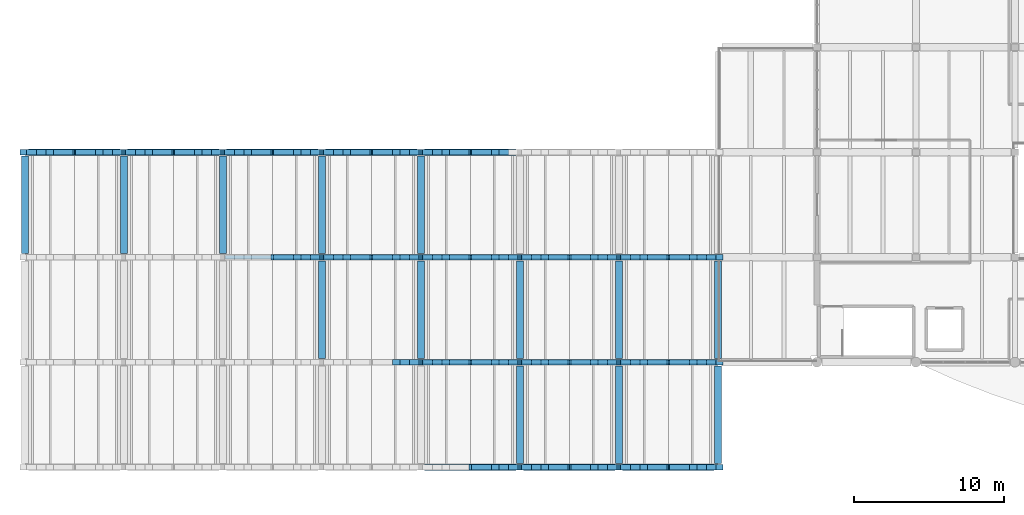
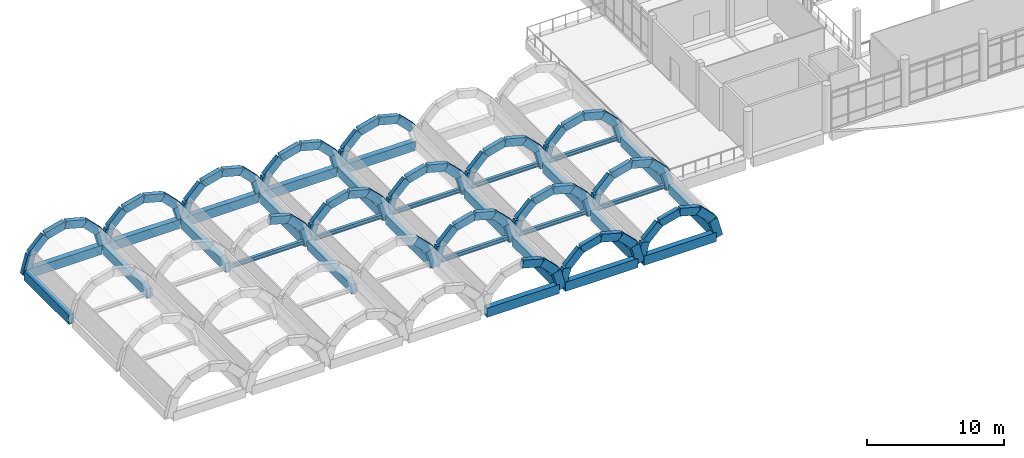
# One storey, part 2 of 92: 112 beams, 8 members.
"""IFC4 building model written with IfcOpenShell, lengths in metres."""

from ifc_helpers import new_model, si_unit, direction, frame, origin, origin_2d, place, context, subcontext, project, spatial, rectangle, i_section, extrude, material, material_profile, profile_set, type_object, element, save


model = new_model("IFC4")

# Units and contexts
model_context = context("Model", 3, precision=1e-05, world=origin(), true_north=direction((0.0, 1.0)))
body_context = subcontext(model_context, "Body", "Model", "MODEL_VIEW")
ifc_project = project(units=[si_unit("LENGTHUNIT", "METRE"), si_unit("AREAUNIT", "SQUARE_METRE"), si_unit("VOLUMEUNIT", "CUBIC_METRE"), si_unit("PLANEANGLEUNIT", "RADIAN"), si_unit("MASSUNIT", "GRAM", prefix="KILO")], contexts=[model_context])

# Site, building, storey
site_placement = place(None, origin())
site = spatial("IfcSite", under=ifc_project, at=site_placement, CompositionType="ELEMENT")
building_placement = place(site_placement, origin())
building = spatial("IfcBuilding", under=site, at=building_placement, Name="Ciguamira Faculty of Natural Sciences", CompositionType="ELEMENT")
storey_placement = place(building_placement, frame((0.0, 0.0, 16.800048828125)))
storey = spatial("IfcBuildingStorey", under=building, at=storey_placement, Name="L04", CompositionType="ELEMENT", Elevation=16.800048828125)

# Beams
ifc_material_1 = material(Name="Concrete C40/50", Category="concrete")
ifc_material_profile_1 = material_profile(ifc_material_1, rectangle(XDim=0.4599609375, YDim=0.820068359375, at=origin_2d()), Name="RC-BM-460X820")
ifc_profile_set_1 = profile_set([ifc_material_profile_1], Name="Concrete C40/50")
beam_type_1 = type_object("IfcBeamType", Name="RCBeam_BG-04_RC-BM-460X820", PredefinedType="BEAM", material=ifc_profile_set_1)
for number, where, z_axis, x_axis, name in (
    (1, (4.5, 17.25, -0.41015625), (0.0, 1.0, 0.0), (-1.0, 0.0, 0.0), "V2 barrel vault RC valley tie beam 01-17"),
    (2, (11.10009765625, 17.25, -0.41015625), (0.0, 1.0, 0.0), (-1.0, 0.0, 0.0), "V2 barrel vault RC valley tie beam 02-17"),
    (3, (17.699951171875, 17.25, -0.41015625), (0.0, 1.0, 0.0), (-1.0, 0.0, 0.0), "V2 barrel vault RC valley tie beam 03-17"),
    (4, (24.300048828125, 10.25, -0.41015625), (0.0, 1.0, 0.0), (-1.0, 0.0, 0.0), "V2 barrel vault RC valley tie beam 04-10"),
    (5, (24.300048828125, 17.25, -0.41015625), (0.0, 1.0, 0.0), (-1.0, 0.0, 0.0), "V2 barrel vault RC valley tie beam 04-17"),
    (6, (30.89990234375, 10.25, -0.41015625), (0.0, 1.0, 0.0), (-1.0, 0.0, 0.0), "V2 barrel vault RC valley tie beam 05-10"),
    (7, (30.89990234375, 17.25, -0.41015625), (0.0, 1.0, 0.0), (-1.0, 0.0, 0.0), "V2 barrel vault RC valley tie beam 05-17"),
    (8, (37.5, 3.25, -0.41015625), (0.0, 1.0, 0.0), (-1.0, 0.0, 0.0), "V2 barrel vault RC valley tie beam 06-3"),
    (9, (37.5, 10.25, -0.41015625), (0.0, 1.0, 0.0), (-1.0, 0.0, 0.0), "V2 barrel vault RC valley tie beam 06-10"),
    (10, (44.10009765625, 3.25, -0.41015625), (0.0, 1.0, 0.0), (-1.0, 0.0, 0.0), "V2 barrel vault RC valley tie beam 07-3"),
    (11, (44.10009765625, 10.25, -0.41015625), (0.0, 1.0, 0.0), (-1.0, 0.0, 0.0), "V2 barrel vault RC valley tie beam 07-10"),
    (12, (50.699951171875, 3.25, -0.41015625), (0.0, 1.0, 0.0), (-1.0, 0.0, 0.0), "V2 barrel vault RC valley tie beam 08-3"),
    (13, (50.699951171875, 10.25, -0.41015625), (0.0, 1.0, 0.0), (-1.0, 0.0, 0.0), "V2 barrel vault RC valley tie beam 08-10"),
):
    element("IfcBeam", number, at=place(storey_placement, frame(where, z_axis=z_axis, x_axis=x_axis)), inside=storey, type_object=beam_type_1, Name=name, PredefinedType="BEAM", context=body_context, shape_type="SweptSolid", body=[
        extrude(rectangle(XDim=0.4599609375, YDim=0.820068359375, at=origin_2d()), origin(), (0.0, 0.0, 1.0), 6.5),
    ])
for number, where, z_axis, x_axis, name in (
    (14, (31.14990234375, 3.0, -0.41015625), (1.0, 0.0, 0.0), (0.0, 1.0, 0.0), "V2 barrel vault end ring beam S-05"),
    (15, (37.75, 3.0, -0.41015625), (1.0, 0.0, 0.0), (0.0, 1.0, 0.0), "V2 barrel vault end ring beam S-06"),
):
    element("IfcBeam", number, at=place(storey_placement, frame(where, z_axis=z_axis, x_axis=x_axis)), inside=storey, type_object=beam_type_1, Name=name, PredefinedType="BEAM", context=body_context, shape_type="SweptSolid", body=[
        extrude(rectangle(XDim=0.4599609375, YDim=0.820068359375, at=origin_2d()), origin(), (0.0, 0.0, 1.0), 6.10009765625),
    ])
beam_1_placement = place(storey_placement, frame((44.35009765625, 3.0, -0.41015625), z_axis=(1.0, 0.0, 0.0), x_axis=(0.0, 1.0, 0.0)))
element("IfcBeam", 16, at=beam_1_placement, inside=storey, type_object=beam_type_1, Name="V2 barrel vault end ring beam S-07", PredefinedType="BEAM", context=body_context, shape_type="SweptSolid", body=[
    extrude(rectangle(XDim=0.4599609375, YDim=0.820068359375, at=origin_2d()), origin(), (0.0, 0.0, 1.0), 6.099853515625),
])
beam_2_placement = place(storey_placement, frame((4.75, 24.0, -0.41015625), z_axis=(1.0, 0.0, 0.0), x_axis=(0.0, 1.0, 0.0)))
element("IfcBeam", 17, at=beam_2_placement, inside=storey, type_object=beam_type_1, Name="V2 barrel vault end ring beam N-01", PredefinedType="BEAM", context=body_context, shape_type="SweptSolid", body=[
    extrude(rectangle(XDim=0.4599609375, YDim=0.820068359375, at=origin_2d()), origin(), (0.0, 0.0, 1.0), 6.10009765625),
])
beam_3_placement = place(storey_placement, frame((11.35009765625, 24.0, -0.41015625), z_axis=(1.0, 0.0, 0.0), x_axis=(0.0, 1.0, 0.0)))
element("IfcBeam", 18, at=beam_3_placement, inside=storey, type_object=beam_type_1, Name="V2 barrel vault end ring beam N-02", PredefinedType="BEAM", context=body_context, shape_type="SweptSolid", body=[
    extrude(rectangle(XDim=0.4599609375, YDim=0.820068359375, at=origin_2d()), origin(), (0.0, 0.0, 1.0), 6.099853515625),
])
beam_4_placement = place(storey_placement, frame((17.949951171875, 24.0, -0.41015625), z_axis=(1.0, 0.0, 0.0), x_axis=(0.0, 1.0, 0.0)))
element("IfcBeam", 19, at=beam_4_placement, inside=storey, type_object=beam_type_1, Name="V2 barrel vault end ring beam N-03", PredefinedType="BEAM", context=body_context, shape_type="SweptSolid", body=[
    extrude(rectangle(XDim=0.4599609375, YDim=0.820068359375, at=origin_2d()), origin(), (0.0, 0.0, 1.0), 6.10009765625),
])
beam_5_placement = place(storey_placement, frame((24.550048828125, 24.0, -0.41015625), z_axis=(1.0, 0.0, 0.0), x_axis=(0.0, 1.0, 0.0)))
element("IfcBeam", 20, at=beam_5_placement, inside=storey, type_object=beam_type_1, Name="V2 barrel vault end ring beam N-04", PredefinedType="BEAM", context=body_context, shape_type="SweptSolid", body=[
    extrude(rectangle(XDim=0.4599609375, YDim=0.820068359375, at=origin_2d()), origin(), (0.0, 0.0, 1.0), 6.099853515625),
])
beam_6_placement = place(storey_placement, frame((31.14990234375, 24.0, -0.41015625), z_axis=(1.0, 0.0, 0.0), x_axis=(0.0, 1.0, 0.0)))
element("IfcBeam", 21, at=beam_6_placement, inside=storey, type_object=beam_type_1, Name="V2 barrel vault end ring beam N-05", PredefinedType="BEAM", context=body_context, shape_type="SweptSolid", body=[
    extrude(rectangle(XDim=0.4599609375, YDim=0.820068359375, at=origin_2d()), origin(), (0.0, 0.0, 1.0), 6.10009765625),
])
ifc_material_profile_2 = material_profile(ifc_material_1, rectangle(XDim=0.3798828125, YDim=0.679931640625, at=origin_2d()), Name="RC-BM-380X680")
ifc_profile_set_2 = profile_set([ifc_material_profile_2], Name="Concrete C40/50")
beam_type_2 = type_object("IfcBeamType", Name="RCBeam_BG-09_RC-BM-380X680", PredefinedType="BEAM", material=ifc_profile_set_2)
beam_7_placement = place(storey_placement, frame((4.5, 24.0, -0.469970703125), z_axis=(0.25884563037, 0.0, 0.965918702396), x_axis=(0.0, 1.0, 0.0)))
element("IfcBeam", 22, at=beam_7_placement, inside=storey, type_object=beam_type_2, Name="V2 barrel vault RC arch rib 1-1-24", PredefinedType="BEAM", context=body_context, shape_type="SweptSolid", body=[
    extrude(rectangle(XDim=0.3798828125, YDim=0.679931640625, at=origin_2d()), origin(), (0.0, 0.0, 1.0), 1.7080078125),
])
for number, where, z_axis, x_axis, name in (
    (23, (4.942138671875, 24.0, 1.179931640625), (0.707035316557, 0.0, 0.707178238594), (0.0, 1.0, 0.0), "V2 barrel vault RC arch rib 1-2-24"),
    (24, (6.14990234375, 24.0, 2.387939453125), (0.965963995283, 0.0, 0.25867655444), (0.0, 1.0, 0.0), "V2 barrel vault RC arch rib 1-3-24"),
):
    element("IfcBeam", number, at=place(storey_placement, frame(where, z_axis=z_axis, x_axis=x_axis)), inside=storey, type_object=beam_type_2, Name=name, PredefinedType="BEAM", context=body_context, shape_type="SweptSolid", body=[
        extrude(rectangle(XDim=0.3798828125, YDim=0.679931640625, at=origin_2d()), origin(), (0.0, 0.0, 1.0), 1.708251953125),
    ])
beam_8_placement = place(storey_placement, frame((7.800048828125, 24.0, 2.829833984375), z_axis=(0.965954430336, 0.0, -0.258712269741), x_axis=(0.0, 1.0, 0.0)))
element("IfcBeam", 25, at=beam_8_placement, inside=storey, type_object=beam_type_2, Name="V2 barrel vault RC arch rib 1-4-24", PredefinedType="BEAM", context=body_context, shape_type="SweptSolid", body=[
    extrude(rectangle(XDim=0.3798828125, YDim=0.679931640625, at=origin_2d()), origin(), (0.0, 0.0, 1.0), 1.7080078125),
])
beam_9_placement = place(storey_placement, frame((9.449951171875, 24.0, 2.387939453125), z_axis=(0.707106781187, 0.0, -0.707106781187), x_axis=(0.0, 1.0, 0.0)))
element("IfcBeam", 26, at=beam_9_placement, inside=storey, type_object=beam_type_2, Name="V2 barrel vault RC arch rib 1-5-24", PredefinedType="BEAM", context=body_context, shape_type="SweptSolid", body=[
    extrude(rectangle(XDim=0.3798828125, YDim=0.679931640625, at=origin_2d()), origin(), (0.0, 0.0, 1.0), 1.70849609375),
])
for number, where, z_axis, x_axis, name in (
    (27, (10.657958984375, 24.0, 1.179931640625), (0.25884563037, 0.0, -0.965918702396), (0.0, 1.0, 0.0), "V2 barrel vault RC arch rib 1-6-24"),
    (28, (11.10009765625, 24.0, -0.469970703125), (0.258712269741, 0.0, 0.965954430336), (0.0, 1.0, 0.0), "V2 barrel vault RC arch rib 2-1-24"),
):
    element("IfcBeam", number, at=place(storey_placement, frame(where, z_axis=z_axis, x_axis=x_axis)), inside=storey, type_object=beam_type_2, Name=name, PredefinedType="BEAM", context=body_context, shape_type="SweptSolid", body=[
        extrude(rectangle(XDim=0.3798828125, YDim=0.679931640625, at=origin_2d()), origin(), (0.0, 0.0, 1.0), 1.7080078125),
    ])
beam_10_placement = place(storey_placement, frame((11.5419921875, 24.0, 1.179931640625), z_axis=(0.707106781187, 0.0, 0.707106781187), x_axis=(0.0, 1.0, 0.0)))
element("IfcBeam", 29, at=beam_10_placement, inside=storey, type_object=beam_type_2, Name="V2 barrel vault RC arch rib 2-2-24", PredefinedType="BEAM", context=body_context, shape_type="SweptSolid", body=[
    extrude(rectangle(XDim=0.3798828125, YDim=0.679931640625, at=origin_2d()), origin(), (0.0, 0.0, 1.0), 1.70849609375),
])
beam_11_placement = place(storey_placement, frame((12.75, 24.0, 2.387939453125), z_axis=(0.965954430336, 0.0, 0.258712269741), x_axis=(0.0, 1.0, 0.0)))
element("IfcBeam", 30, at=beam_11_placement, inside=storey, type_object=beam_type_2, Name="V2 barrel vault RC arch rib 2-3-24", PredefinedType="BEAM", context=body_context, shape_type="SweptSolid", body=[
    extrude(rectangle(XDim=0.3798828125, YDim=0.679931640625, at=origin_2d()), origin(), (0.0, 0.0, 1.0), 1.7080078125),
])
for number, where, z_axis, x_axis, name in (
    (31, (14.39990234375, 24.0, 2.829833984375), (0.965963995283, 0.0, -0.25867655444), (0.0, 1.0, 0.0), "V2 barrel vault RC arch rib 2-4-24"),
    (32, (16.050048828125, 24.0, 2.387939453125), (0.707035316557, 0.0, -0.707178238594), (0.0, 1.0, 0.0), "V2 barrel vault RC arch rib 2-5-24"),
):
    element("IfcBeam", number, at=place(storey_placement, frame(where, z_axis=z_axis, x_axis=x_axis)), inside=storey, type_object=beam_type_2, Name=name, PredefinedType="BEAM", context=body_context, shape_type="SweptSolid", body=[
        extrude(rectangle(XDim=0.3798828125, YDim=0.679931640625, at=origin_2d()), origin(), (0.0, 0.0, 1.0), 1.708251953125),
    ])
for number, where, z_axis, x_axis, name in (
    (33, (17.2578125, 24.0, 1.179931640625), (0.25884563037, 0.0, -0.965918702396), (0.0, 1.0, 0.0), "V2 barrel vault RC arch rib 2-6-24"),
    (34, (17.699951171875, 24.0, -0.469970703125), (0.25884563037, 0.0, 0.965918702396), (0.0, 1.0, 0.0), "V2 barrel vault RC arch rib 3-1-24"),
):
    element("IfcBeam", number, at=place(storey_placement, frame(where, z_axis=z_axis, x_axis=x_axis)), inside=storey, type_object=beam_type_2, Name=name, PredefinedType="BEAM", context=body_context, shape_type="SweptSolid", body=[
        extrude(rectangle(XDim=0.3798828125, YDim=0.679931640625, at=origin_2d()), origin(), (0.0, 0.0, 1.0), 1.7080078125),
    ])
beam_12_placement = place(storey_placement, frame((18.14208984375, 24.0, 1.179931640625), z_axis=(0.707106781187, 0.0, 0.707106781187), x_axis=(0.0, 1.0, 0.0)))
element("IfcBeam", 35, at=beam_12_placement, inside=storey, type_object=beam_type_2, Name="V2 barrel vault RC arch rib 3-2-24", PredefinedType="BEAM", context=body_context, shape_type="SweptSolid", body=[
    extrude(rectangle(XDim=0.3798828125, YDim=0.679931640625, at=origin_2d()), origin(), (0.0, 0.0, 1.0), 1.70849609375),
])
for number, where, z_axis, x_axis, name in (
    (36, (19.35009765625, 24.0, 2.387939453125), (0.965954430336, 0.0, 0.258712269741), (0.0, 1.0, 0.0), "V2 barrel vault RC arch rib 3-3-24"),
    (37, (21.0, 17.0, 2.829833984375), (0.965954430336, 0.0, -0.258712269741), (0.0, 1.0, 0.0), "V2 barrel vault RC arch rib 3-4-17"),
    (38, (21.0, 24.0, 2.829833984375), (0.965954430336, 0.0, -0.258712269741), (0.0, 1.0, 0.0), "V2 barrel vault RC arch rib 3-4-24"),
):
    element("IfcBeam", number, at=place(storey_placement, frame(where, z_axis=z_axis, x_axis=x_axis)), inside=storey, type_object=beam_type_2, Name=name, PredefinedType="BEAM", context=body_context, shape_type="SweptSolid", body=[
        extrude(rectangle(XDim=0.3798828125, YDim=0.679931640625, at=origin_2d()), origin(), (0.0, 0.0, 1.0), 1.7080078125),
    ])
for number, where, z_axis, x_axis, name in (
    (39, (22.64990234375, 17.0, 2.387939453125), (0.707106781187, 0.0, -0.707106781187), (0.0, 1.0, 0.0), "V2 barrel vault RC arch rib 3-5-17"),
    (40, (22.64990234375, 24.0, 2.387939453125), (0.707106781187, 0.0, -0.707106781187), (0.0, 1.0, 0.0), "V2 barrel vault RC arch rib 3-5-24"),
):
    element("IfcBeam", number, at=place(storey_placement, frame(where, z_axis=z_axis, x_axis=x_axis)), inside=storey, type_object=beam_type_2, Name=name, PredefinedType="BEAM", context=body_context, shape_type="SweptSolid", body=[
        extrude(rectangle(XDim=0.3798828125, YDim=0.679931640625, at=origin_2d()), origin(), (0.0, 0.0, 1.0), 1.70849609375),
    ])
for number, where, z_axis, x_axis, name in (
    (41, (23.85791015625, 17.0, 1.179931640625), (0.25884563037, 0.0, -0.965918702396), (0.0, 1.0, 0.0), "V2 barrel vault RC arch rib 3-6-17"),
    (42, (23.85791015625, 24.0, 1.179931640625), (0.25884563037, 0.0, -0.965918702396), (0.0, 1.0, 0.0), "V2 barrel vault RC arch rib 3-6-24"),
    (43, (24.300048828125, 17.0, -0.469970703125), (0.25884563037, 0.0, 0.965918702396), (0.0, 1.0, 0.0), "V2 barrel vault RC arch rib 4-1-17"),
    (44, (24.300048828125, 24.0, -0.469970703125), (0.25884563037, 0.0, 0.965918702396), (0.0, 1.0, 0.0), "V2 barrel vault RC arch rib 4-1-24"),
):
    element("IfcBeam", number, at=place(storey_placement, frame(where, z_axis=z_axis, x_axis=x_axis)), inside=storey, type_object=beam_type_2, Name=name, PredefinedType="BEAM", context=body_context, shape_type="SweptSolid", body=[
        extrude(rectangle(XDim=0.3798828125, YDim=0.679931640625, at=origin_2d()), origin(), (0.0, 0.0, 1.0), 1.7080078125),
    ])
for number, where, z_axis, x_axis, name in (
    (45, (24.7421875, 17.0, 1.179931640625), (0.707035316557, 0.0, 0.707178238594), (0.0, 1.0, 0.0), "V2 barrel vault RC arch rib 4-2-17"),
    (46, (24.7421875, 24.0, 1.179931640625), (0.707035316557, 0.0, 0.707178238594), (0.0, 1.0, 0.0), "V2 barrel vault RC arch rib 4-2-24"),
    (47, (25.949951171875, 17.0, 2.387939453125), (0.965963995283, 0.0, 0.25867655444), (0.0, 1.0, 0.0), "V2 barrel vault RC arch rib 4-3-17"),
    (48, (25.949951171875, 24.0, 2.387939453125), (0.965963995283, 0.0, 0.25867655444), (0.0, 1.0, 0.0), "V2 barrel vault RC arch rib 4-3-24"),
):
    element("IfcBeam", number, at=place(storey_placement, frame(where, z_axis=z_axis, x_axis=x_axis)), inside=storey, type_object=beam_type_2, Name=name, PredefinedType="BEAM", context=body_context, shape_type="SweptSolid", body=[
        extrude(rectangle(XDim=0.3798828125, YDim=0.679931640625, at=origin_2d()), origin(), (0.0, 0.0, 1.0), 1.708251953125),
    ])
for number, where, z_axis, x_axis, name in (
    (49, (27.60009765625, 17.0, 2.829833984375), (0.965954430336, 0.0, -0.258712269741), (0.0, 1.0, 0.0), "V2 barrel vault RC arch rib 4-4-17"),
    (50, (27.60009765625, 24.0, 2.829833984375), (0.965954430336, 0.0, -0.258712269741), (0.0, 1.0, 0.0), "V2 barrel vault RC arch rib 4-4-24"),
):
    element("IfcBeam", number, at=place(storey_placement, frame(where, z_axis=z_axis, x_axis=x_axis)), inside=storey, type_object=beam_type_2, Name=name, PredefinedType="BEAM", context=body_context, shape_type="SweptSolid", body=[
        extrude(rectangle(XDim=0.3798828125, YDim=0.679931640625, at=origin_2d()), origin(), (0.0, 0.0, 1.0), 1.7080078125),
    ])
for number, where, z_axis, x_axis, name in (
    (51, (29.25, 10.0, 2.387939453125), (0.707106781187, 0.0, -0.707106781187), (0.0, 1.0, 0.0), "V2 barrel vault RC arch rib 4-5-10"),
    (52, (29.25, 17.0, 2.387939453125), (0.707106781187, 0.0, -0.707106781187), (0.0, 1.0, 0.0), "V2 barrel vault RC arch rib 4-5-17"),
    (53, (29.25, 24.0, 2.387939453125), (0.707106781187, 0.0, -0.707106781187), (0.0, 1.0, 0.0), "V2 barrel vault RC arch rib 4-5-24"),
):
    element("IfcBeam", number, at=place(storey_placement, frame(where, z_axis=z_axis, x_axis=x_axis)), inside=storey, type_object=beam_type_2, Name=name, PredefinedType="BEAM", context=body_context, shape_type="SweptSolid", body=[
        extrude(rectangle(XDim=0.3798828125, YDim=0.679931640625, at=origin_2d()), origin(), (0.0, 0.0, 1.0), 1.70849609375),
    ])
for number, where, z_axis, x_axis, name in (
    (54, (30.4580078125, 10.0, 1.179931640625), (0.258712269741, 0.0, -0.965954430336), (0.0, 1.0, 0.0), "V2 barrel vault RC arch rib 4-6-10"),
    (55, (30.4580078125, 17.0, 1.179931640625), (0.258712269741, 0.0, -0.965954430336), (0.0, 1.0, 0.0), "V2 barrel vault RC arch rib 4-6-17"),
    (56, (30.4580078125, 24.0, 1.179931640625), (0.258712269741, 0.0, -0.965954430336), (0.0, 1.0, 0.0), "V2 barrel vault RC arch rib 4-6-24"),
    (57, (30.89990234375, 10.0, -0.469970703125), (0.25884563037, 0.0, 0.965918702396), (0.0, 1.0, 0.0), "V2 barrel vault RC arch rib 5-1-10"),
    (58, (30.89990234375, 17.0, -0.469970703125), (0.25884563037, 0.0, 0.965918702396), (0.0, 1.0, 0.0), "V2 barrel vault RC arch rib 5-1-17"),
    (59, (30.89990234375, 24.0, -0.469970703125), (0.25884563037, 0.0, 0.965918702396), (0.0, 1.0, 0.0), "V2 barrel vault RC arch rib 5-1-24"),
):
    element("IfcBeam", number, at=place(storey_placement, frame(where, z_axis=z_axis, x_axis=x_axis)), inside=storey, type_object=beam_type_2, Name=name, PredefinedType="BEAM", context=body_context, shape_type="SweptSolid", body=[
        extrude(rectangle(XDim=0.3798828125, YDim=0.679931640625, at=origin_2d()), origin(), (0.0, 0.0, 1.0), 1.7080078125),
    ])
for number, where, z_axis, x_axis, name in (
    (60, (31.342041015625, 10.0, 1.179931640625), (0.707106781187, 0.0, 0.707106781187), (0.0, 1.0, 0.0), "V2 barrel vault RC arch rib 5-2-10"),
    (61, (31.342041015625, 17.0, 1.179931640625), (0.707106781187, 0.0, 0.707106781187), (0.0, 1.0, 0.0), "V2 barrel vault RC arch rib 5-2-17"),
    (62, (31.342041015625, 24.0, 1.179931640625), (0.707106781187, 0.0, 0.707106781187), (0.0, 1.0, 0.0), "V2 barrel vault RC arch rib 5-2-24"),
):
    element("IfcBeam", number, at=place(storey_placement, frame(where, z_axis=z_axis, x_axis=x_axis)), inside=storey, type_object=beam_type_2, Name=name, PredefinedType="BEAM", context=body_context, shape_type="SweptSolid", body=[
        extrude(rectangle(XDim=0.3798828125, YDim=0.679931640625, at=origin_2d()), origin(), (0.0, 0.0, 1.0), 1.70849609375),
    ])
for number, where, z_axis, x_axis, name in (
    (63, (32.550048828125, 10.0, 2.387939453125), (0.965954430336, 0.0, 0.258712269741), (0.0, 1.0, 0.0), "V2 barrel vault RC arch rib 5-3-10"),
    (64, (32.550048828125, 17.0, 2.387939453125), (0.965954430336, 0.0, 0.258712269741), (0.0, 1.0, 0.0), "V2 barrel vault RC arch rib 5-3-17"),
    (65, (32.550048828125, 24.0, 2.387939453125), (0.965954430336, 0.0, 0.258712269741), (0.0, 1.0, 0.0), "V2 barrel vault RC arch rib 5-3-24"),
):
    element("IfcBeam", number, at=place(storey_placement, frame(where, z_axis=z_axis, x_axis=x_axis)), inside=storey, type_object=beam_type_2, Name=name, PredefinedType="BEAM", context=body_context, shape_type="SweptSolid", body=[
        extrude(rectangle(XDim=0.3798828125, YDim=0.679931640625, at=origin_2d()), origin(), (0.0, 0.0, 1.0), 1.7080078125),
    ])
for number, where, z_axis, x_axis, name in (
    (66, (34.199951171875, 3.0, 2.829833984375), (0.965963995283, 0.0, -0.25867655444), (0.0, 1.0, 0.0), "V2 barrel vault RC arch rib 5-4-3"),
    (67, (34.199951171875, 10.0, 2.829833984375), (0.965963995283, 0.0, -0.25867655444), (0.0, 1.0, 0.0), "V2 barrel vault RC arch rib 5-4-10"),
    (68, (34.199951171875, 17.0, 2.829833984375), (0.965963995283, 0.0, -0.25867655444), (0.0, 1.0, 0.0), "V2 barrel vault RC arch rib 5-4-17"),
    (69, (34.199951171875, 24.0, 2.829833984375), (0.965963995283, 0.0, -0.25867655444), (0.0, 1.0, 0.0), "V2 barrel vault RC arch rib 5-4-24"),
    (70, (35.85009765625, 3.0, 2.387939453125), (0.707035316557, 0.0, -0.707178238594), (0.0, 1.0, 0.0), "V2 barrel vault RC arch rib 5-5-3"),
    (71, (35.85009765625, 10.0, 2.387939453125), (0.707035316557, 0.0, -0.707178238594), (0.0, 1.0, 0.0), "V2 barrel vault RC arch rib 5-5-10"),
    (72, (35.85009765625, 17.0, 2.387939453125), (0.707035316557, 0.0, -0.707178238594), (0.0, 1.0, 0.0), "V2 barrel vault RC arch rib 5-5-17"),
    (73, (35.85009765625, 24.0, 2.387939453125), (0.707035316557, 0.0, -0.707178238594), (0.0, 1.0, 0.0), "V2 barrel vault RC arch rib 5-5-24"),
):
    element("IfcBeam", number, at=place(storey_placement, frame(where, z_axis=z_axis, x_axis=x_axis)), inside=storey, type_object=beam_type_2, Name=name, PredefinedType="BEAM", context=body_context, shape_type="SweptSolid", body=[
        extrude(rectangle(XDim=0.3798828125, YDim=0.679931640625, at=origin_2d()), origin(), (0.0, 0.0, 1.0), 1.708251953125),
    ])
for number, where, z_axis, x_axis, name in (
    (74, (37.057861328125, 3.0, 1.179931640625), (0.25884563037, 0.0, -0.965918702396), (0.0, 1.0, 0.0), "V2 barrel vault RC arch rib 5-6-3"),
    (75, (37.057861328125, 10.0, 1.179931640625), (0.25884563037, 0.0, -0.965918702396), (0.0, 1.0, 0.0), "V2 barrel vault RC arch rib 5-6-10"),
    (76, (37.057861328125, 17.0, 1.179931640625), (0.25884563037, 0.0, -0.965918702396), (0.0, 1.0, 0.0), "V2 barrel vault RC arch rib 5-6-17"),
    (77, (37.5, 3.0, -0.469970703125), (0.25884563037, 0.0, 0.965918702396), (0.0, 1.0, 0.0), "V2 barrel vault RC arch rib 6-1-3"),
    (78, (37.5, 10.0, -0.469970703125), (0.25884563037, 0.0, 0.965918702396), (0.0, 1.0, 0.0), "V2 barrel vault RC arch rib 6-1-10"),
    (79, (37.5, 17.0, -0.469970703125), (0.25884563037, 0.0, 0.965918702396), (0.0, 1.0, 0.0), "V2 barrel vault RC arch rib 6-1-17"),
):
    element("IfcBeam", number, at=place(storey_placement, frame(where, z_axis=z_axis, x_axis=x_axis)), inside=storey, type_object=beam_type_2, Name=name, PredefinedType="BEAM", context=body_context, shape_type="SweptSolid", body=[
        extrude(rectangle(XDim=0.3798828125, YDim=0.679931640625, at=origin_2d()), origin(), (0.0, 0.0, 1.0), 1.7080078125),
    ])
for number, where, z_axis, x_axis, name in (
    (80, (37.942138671875, 3.0, 1.179931640625), (0.707035316557, 0.0, 0.707178238594), (0.0, 1.0, 0.0), "V2 barrel vault RC arch rib 6-2-3"),
    (81, (37.942138671875, 10.0, 1.179931640625), (0.707035316557, 0.0, 0.707178238594), (0.0, 1.0, 0.0), "V2 barrel vault RC arch rib 6-2-10"),
    (82, (37.942138671875, 17.0, 1.179931640625), (0.707035316557, 0.0, 0.707178238594), (0.0, 1.0, 0.0), "V2 barrel vault RC arch rib 6-2-17"),
    (83, (39.14990234375, 3.0, 2.387939453125), (0.965963995283, 0.0, 0.25867655444), (0.0, 1.0, 0.0), "V2 barrel vault RC arch rib 6-3-3"),
    (84, (39.14990234375, 10.0, 2.387939453125), (0.965963995283, 0.0, 0.25867655444), (0.0, 1.0, 0.0), "V2 barrel vault RC arch rib 6-3-10"),
    (85, (39.14990234375, 17.0, 2.387939453125), (0.965963995283, 0.0, 0.25867655444), (0.0, 1.0, 0.0), "V2 barrel vault RC arch rib 6-3-17"),
):
    element("IfcBeam", number, at=place(storey_placement, frame(where, z_axis=z_axis, x_axis=x_axis)), inside=storey, type_object=beam_type_2, Name=name, PredefinedType="BEAM", context=body_context, shape_type="SweptSolid", body=[
        extrude(rectangle(XDim=0.3798828125, YDim=0.679931640625, at=origin_2d()), origin(), (0.0, 0.0, 1.0), 1.708251953125),
    ])
for number, where, z_axis, x_axis, name in (
    (86, (40.800048828125, 3.0, 2.829833984375), (0.965954430336, 0.0, -0.258712269741), (0.0, 1.0, 0.0), "V2 barrel vault RC arch rib 6-4-3"),
    (87, (40.800048828125, 10.0, 2.829833984375), (0.965954430336, 0.0, -0.258712269741), (0.0, 1.0, 0.0), "V2 barrel vault RC arch rib 6-4-10"),
    (88, (40.800048828125, 17.0, 2.829833984375), (0.965954430336, 0.0, -0.258712269741), (0.0, 1.0, 0.0), "V2 barrel vault RC arch rib 6-4-17"),
):
    element("IfcBeam", number, at=place(storey_placement, frame(where, z_axis=z_axis, x_axis=x_axis)), inside=storey, type_object=beam_type_2, Name=name, PredefinedType="BEAM", context=body_context, shape_type="SweptSolid", body=[
        extrude(rectangle(XDim=0.3798828125, YDim=0.679931640625, at=origin_2d()), origin(), (0.0, 0.0, 1.0), 1.7080078125),
    ])
for number, where, z_axis, x_axis, name in (
    (89, (42.449951171875, 3.0, 2.387939453125), (0.707106781187, 0.0, -0.707106781187), (0.0, 1.0, 0.0), "V2 barrel vault RC arch rib 6-5-3"),
    (90, (42.449951171875, 10.0, 2.387939453125), (0.707106781187, 0.0, -0.707106781187), (0.0, 1.0, 0.0), "V2 barrel vault RC arch rib 6-5-10"),
    (91, (42.449951171875, 17.0, 2.387939453125), (0.707106781187, 0.0, -0.707106781187), (0.0, 1.0, 0.0), "V2 barrel vault RC arch rib 6-5-17"),
):
    element("IfcBeam", number, at=place(storey_placement, frame(where, z_axis=z_axis, x_axis=x_axis)), inside=storey, type_object=beam_type_2, Name=name, PredefinedType="BEAM", context=body_context, shape_type="SweptSolid", body=[
        extrude(rectangle(XDim=0.3798828125, YDim=0.679931640625, at=origin_2d()), origin(), (0.0, 0.0, 1.0), 1.70849609375),
    ])
for number, where, z_axis, x_axis, name in (
    (92, (43.657958984375, 3.0, 1.179931640625), (0.25884563037, 0.0, -0.965918702396), (0.0, 1.0, 0.0), "V2 barrel vault RC arch rib 6-6-3"),
    (93, (43.657958984375, 10.0, 1.179931640625), (0.25884563037, 0.0, -0.965918702396), (0.0, 1.0, 0.0), "V2 barrel vault RC arch rib 6-6-10"),
    (94, (43.657958984375, 17.0, 1.179931640625), (0.25884563037, 0.0, -0.965918702396), (0.0, 1.0, 0.0), "V2 barrel vault RC arch rib 6-6-17"),
    (95, (44.10009765625, 3.0, -0.469970703125), (0.258712269741, 0.0, 0.965954430336), (0.0, 1.0, 0.0), "V2 barrel vault RC arch rib 7-1-3"),
    (96, (44.10009765625, 10.0, -0.469970703125), (0.258712269741, 0.0, 0.965954430336), (0.0, 1.0, 0.0), "V2 barrel vault RC arch rib 7-1-10"),
    (97, (44.10009765625, 17.0, -0.469970703125), (0.258712269741, 0.0, 0.965954430336), (0.0, 1.0, 0.0), "V2 barrel vault RC arch rib 7-1-17"),
):
    element("IfcBeam", number, at=place(storey_placement, frame(where, z_axis=z_axis, x_axis=x_axis)), inside=storey, type_object=beam_type_2, Name=name, PredefinedType="BEAM", context=body_context, shape_type="SweptSolid", body=[
        extrude(rectangle(XDim=0.3798828125, YDim=0.679931640625, at=origin_2d()), origin(), (0.0, 0.0, 1.0), 1.7080078125),
    ])
for number, where, z_axis, x_axis, name in (
    (98, (44.5419921875, 3.0, 1.179931640625), (0.707106781187, 0.0, 0.707106781187), (0.0, 1.0, 0.0), "V2 barrel vault RC arch rib 7-2-3"),
    (99, (44.5419921875, 10.0, 1.179931640625), (0.707106781187, 0.0, 0.707106781187), (0.0, 1.0, 0.0), "V2 barrel vault RC arch rib 7-2-10"),
    (100, (44.5419921875, 17.0, 1.179931640625), (0.707106781187, 0.0, 0.707106781187), (0.0, 1.0, 0.0), "V2 barrel vault RC arch rib 7-2-17"),
):
    element("IfcBeam", number, at=place(storey_placement, frame(where, z_axis=z_axis, x_axis=x_axis)), inside=storey, type_object=beam_type_2, Name=name, PredefinedType="BEAM", context=body_context, shape_type="SweptSolid", body=[
        extrude(rectangle(XDim=0.3798828125, YDim=0.679931640625, at=origin_2d()), origin(), (0.0, 0.0, 1.0), 1.70849609375),
    ])
for number, where, z_axis, x_axis, name in (
    (101, (45.75, 3.0, 2.387939453125), (0.965954430336, 0.0, 0.258712269741), (0.0, 1.0, 0.0), "V2 barrel vault RC arch rib 7-3-3"),
    (102, (45.75, 10.0, 2.387939453125), (0.965954430336, 0.0, 0.258712269741), (0.0, 1.0, 0.0), "V2 barrel vault RC arch rib 7-3-10"),
    (103, (45.75, 17.0, 2.387939453125), (0.965954430336, 0.0, 0.258712269741), (0.0, 1.0, 0.0), "V2 barrel vault RC arch rib 7-3-17"),
):
    element("IfcBeam", number, at=place(storey_placement, frame(where, z_axis=z_axis, x_axis=x_axis)), inside=storey, type_object=beam_type_2, Name=name, PredefinedType="BEAM", context=body_context, shape_type="SweptSolid", body=[
        extrude(rectangle(XDim=0.3798828125, YDim=0.679931640625, at=origin_2d()), origin(), (0.0, 0.0, 1.0), 1.7080078125),
    ])
for number, where, z_axis, x_axis, name in (
    (104, (47.39990234375, 3.0, 2.829833984375), (0.965963995283, 0.0, -0.25867655444), (0.0, 1.0, 0.0), "V2 barrel vault RC arch rib 7-4-3"),
    (105, (47.39990234375, 10.0, 2.829833984375), (0.965963995283, 0.0, -0.25867655444), (0.0, 1.0, 0.0), "V2 barrel vault RC arch rib 7-4-10"),
    (106, (47.39990234375, 17.0, 2.829833984375), (0.965963995283, 0.0, -0.25867655444), (0.0, 1.0, 0.0), "V2 barrel vault RC arch rib 7-4-17"),
    (107, (49.050048828125, 3.0, 2.387939453125), (0.707035316557, 0.0, -0.707178238594), (0.0, 1.0, 0.0), "V2 barrel vault RC arch rib 7-5-3"),
    (108, (49.050048828125, 10.0, 2.387939453125), (0.707035316557, 0.0, -0.707178238594), (0.0, 1.0, 0.0), "V2 barrel vault RC arch rib 7-5-10"),
    (109, (49.050048828125, 17.0, 2.387939453125), (0.707035316557, 0.0, -0.707178238594), (0.0, 1.0, 0.0), "V2 barrel vault RC arch rib 7-5-17"),
):
    element("IfcBeam", number, at=place(storey_placement, frame(where, z_axis=z_axis, x_axis=x_axis)), inside=storey, type_object=beam_type_2, Name=name, PredefinedType="BEAM", context=body_context, shape_type="SweptSolid", body=[
        extrude(rectangle(XDim=0.3798828125, YDim=0.679931640625, at=origin_2d()), origin(), (0.0, 0.0, 1.0), 1.708251953125),
    ])
for number, where, z_axis, x_axis, name in (
    (110, (50.2578125, 3.0, 1.179931640625), (0.25884563037, 0.0, -0.965918702396), (0.0, 1.0, 0.0), "V2 barrel vault RC arch rib 7-6-3"),
    (111, (50.2578125, 10.0, 1.179931640625), (0.25884563037, 0.0, -0.965918702396), (0.0, 1.0, 0.0), "V2 barrel vault RC arch rib 7-6-10"),
    (112, (50.2578125, 17.0, 1.179931640625), (0.25884563037, 0.0, -0.965918702396), (0.0, 1.0, 0.0), "V2 barrel vault RC arch rib 7-6-17"),
):
    element("IfcBeam", number, at=place(storey_placement, frame(where, z_axis=z_axis, x_axis=x_axis)), inside=storey, type_object=beam_type_2, Name=name, PredefinedType="BEAM", context=body_context, shape_type="SweptSolid", body=[
        extrude(rectangle(XDim=0.3798828125, YDim=0.679931640625, at=origin_2d()), origin(), (0.0, 0.0, 1.0), 1.7080078125),
    ])

# Members
ifc_material_2 = material(Name="Steel ASTM A992 Grade 50", Category="steel")
ifc_material_profile_3 = material_profile(ifc_material_2, i_section(OverallWidth=0.25390625, OverallDepth=0.355712890625, WebThickness=0.010498046875, FlangeThickness=0.018310546875, at=origin_2d()), Name="W14X68")
ifc_profile_set_3 = profile_set([ifc_material_profile_3], Name="Steel ASTM A992 Grade 50")
member_type = type_object("IfcMemberType", Name="SteelMember_TC-04_W14X68", PredefinedType="CHORD", material=ifc_profile_set_3)
member_placement = place(storey_placement, frame((17.85009765625, 17.0, -0.150146484375), z_axis=(1.0, 0.0, 0.0), x_axis=(0.0, 1.0, 0.0)))
element("IfcMember", 113, at=member_placement, inside=storey, type_object=member_type, Name="V2 barrel vault tension tie 03-17", PredefinedType="CHORD", context=body_context, shape_type="SweptSolid", body=[
    extrude(i_section(OverallWidth=0.25390625, OverallDepth=0.355712890625, WebThickness=0.010498046875, FlangeThickness=0.018310546875, at=origin_2d()), origin(), (0.0, 0.0, 1.0), 6.2998046875),
])
for number, where, z_axis, x_axis, name in (
    (114, (24.449951171875, 17.0, -0.150146484375), (1.0, 0.0, 0.0), (0.0, 1.0, 0.0), "V2 barrel vault tension tie 04-17"),
    (115, (31.050048828125, 10.0, -0.150146484375), (1.0, 0.0, 0.0), (0.0, 1.0, 0.0), "V2 barrel vault tension tie 05-10"),
    (116, (31.050048828125, 17.0, -0.150146484375), (1.0, 0.0, 0.0), (0.0, 1.0, 0.0), "V2 barrel vault tension tie 05-17"),
    (117, (37.64990234375, 10.0, -0.150146484375), (1.0, 0.0, 0.0), (0.0, 1.0, 0.0), "V2 barrel vault tension tie 06-10"),
    (118, (37.64990234375, 17.0, -0.150146484375), (1.0, 0.0, 0.0), (0.0, 1.0, 0.0), "V2 barrel vault tension tie 06-17"),
    (119, (44.25, 10.0, -0.150146484375), (1.0, 0.0, 0.0), (0.0, 1.0, 0.0), "V2 barrel vault tension tie 07-10"),
    (120, (44.25, 17.0, -0.150146484375), (1.0, 0.0, 0.0), (0.0, 1.0, 0.0), "V2 barrel vault tension tie 07-17"),
):
    element("IfcMember", number, at=place(storey_placement, frame(where, z_axis=z_axis, x_axis=x_axis)), inside=storey, type_object=member_type, Name=name, PredefinedType="CHORD", context=body_context, shape_type="SweptSolid", body=[
        extrude(i_section(OverallWidth=0.25390625, OverallDepth=0.355712890625, WebThickness=0.010498046875, FlangeThickness=0.018310546875, at=origin_2d()), origin(), (0.0, 0.0, 1.0), 6.300048828125),
    ])

save(model, "model.ifc")
